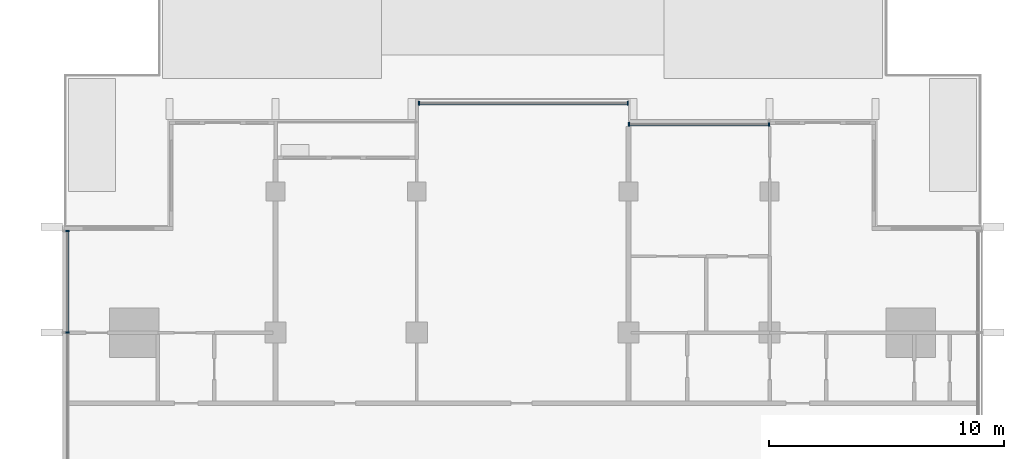
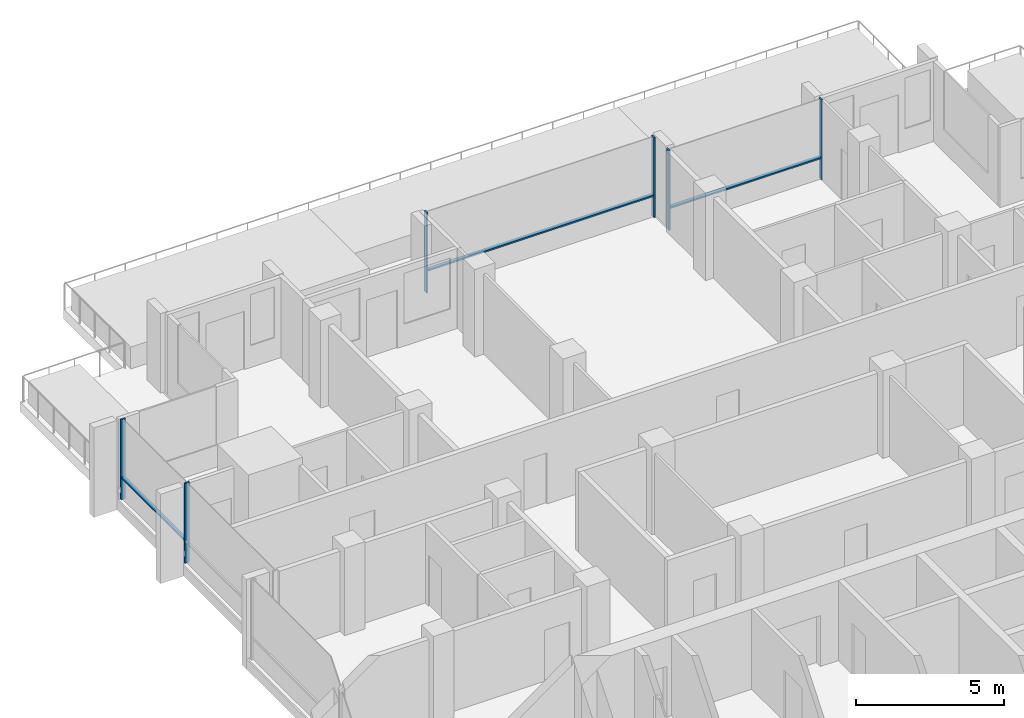
# One storey, part 4 of 17: 9 members, 3 elements without a shape of their own.
"""IFC4 building model written with IfcOpenShell, lengths in metres."""

from ifc_helpers import new_model, si_unit, direction, frame, origin, origin_2d, place, context, subcontext, project, spatial, rectangle, extrude, material, material_profile, profile_set, type_object, element, aggregate, save


model = new_model("IFC4")

# Units and contexts
model_context = context("Model", 3, precision=1e-05, world=origin(), true_north=direction((0.0, 1.0)))
body_context = subcontext(model_context, "Body", "Model", "MODEL_VIEW")
ifc_project = project(units=[si_unit("LENGTHUNIT", "METRE"), si_unit("AREAUNIT", "SQUARE_METRE"), si_unit("VOLUMEUNIT", "CUBIC_METRE"), si_unit("PLANEANGLEUNIT", "RADIAN"), si_unit("MASSUNIT", "GRAM", prefix="KILO")], contexts=[model_context])

# Site, building, storey
site_placement = place(None, origin())
site = spatial("IfcSite", under=ifc_project, at=site_placement, CompositionType="ELEMENT")
building_placement = place(site_placement, origin())
building = spatial("IfcBuilding", under=site, at=building_placement, Name="Finial Court Residences", CompositionType="ELEMENT")
storey_placement = place(building_placement, frame((0.0, 0.0, 205.10009765625)))
storey = spatial("IfcBuildingStorey", under=building, at=storey_placement, Name="L51", CompositionType="ELEMENT", Elevation=205.10009765625)

# Curtain wall, members
ifc_material = material(Name="Bronze anodised aluminium", Category="aluminium")
curtain_wall_type = type_object("IfcCurtainWallType", Name="Unitised curtain wall, upper zones", PredefinedType="NOTDEFINED", material=ifc_material)
curtain_wall_1_placement = place(storey_placement, origin())
curtain_wall_1 = element("IfcCurtainWall", 1, at=curtain_wall_1_placement, inside=storey, type_object=curtain_wall_type, Name="E-L51-CW-N1", PredefinedType="NOTDEFINED")
ifc_material_profile_1 = material_profile(ifc_material, rectangle(XDim=0.175048828125, YDim=0.06005859375, at=origin_2d()), Name="CW2 mullion 60 x 175")
ifc_profile_set_1 = profile_set([ifc_material_profile_1], Name="Bronze anodised aluminium")
member_type_1 = type_object("IfcMemberType", Name="CW2 mullion 60 x 175", PredefinedType="MULLION", material=ifc_profile_set_1)
member_1_placement = place(storey_placement, frame((-4.39501953125, 17.25, 0.0), z_axis=(0.0, 0.0, 1.0), x_axis=(0.0, 1.0, 0.0)))
member_1 = element("IfcMember", 2, at=member_1_placement, type_object=member_type_1, Name="CW2 mullion 1", PredefinedType="MULLION", context=body_context, shape_type="SweptSolid", body=[
    extrude(rectangle(XDim=0.175048828125, YDim=0.06005859375, at=origin_2d()), origin(), (0.0, 0.0, 1.0), 3.2998046875),
])
member_2_placement = place(storey_placement, frame((4.469970703125, 17.25, 0.0), z_axis=(0.0, 0.0, 1.0), x_axis=(0.0, 1.0, 0.0)))
member_2 = element("IfcMember", 3, at=member_2_placement, type_object=member_type_1, Name="CW2 mullion 2", PredefinedType="MULLION", context=body_context, shape_type="SweptSolid", body=[
    extrude(rectangle(XDim=0.175048828125, YDim=0.06005859375, at=origin_2d()), origin(), (0.0, 0.0, 1.0), 3.2998046875),
])

curtain_wall_2_placement = place(storey_placement, origin())
curtain_wall_2 = element("IfcCurtainWall", 4, at=curtain_wall_2_placement, inside=storey, type_object=curtain_wall_type, Name="E-L51-CW-N2", PredefinedType="NOTDEFINED")
member_3_placement = place(storey_placement, frame((4.530029296875, 16.35009765625, 0.0), z_axis=(0.0, 0.0, 1.0), x_axis=(0.0, 1.0, 0.0)))
member_3 = element("IfcMember", 5, at=member_3_placement, type_object=member_type_1, Name="CW2 mullion 1", PredefinedType="MULLION", context=body_context, shape_type="SweptSolid", body=[
    extrude(rectangle(XDim=0.175048828125, YDim=0.06005859375, at=origin_2d()), origin(), (0.0, 0.0, 1.0), 3.2998046875),
])
member_4_placement = place(storey_placement, frame((10.469970703125, 16.35009765625, 0.0), z_axis=(0.0, 0.0, 1.0), x_axis=(0.0, 1.0, 0.0)))
member_4 = element("IfcMember", 6, at=member_4_placement, type_object=member_type_1, Name="CW2 mullion 2", PredefinedType="MULLION", context=body_context, shape_type="SweptSolid", body=[
    extrude(rectangle(XDim=0.175048828125, YDim=0.06005859375, at=origin_2d()), origin(), (0.0, 0.0, 1.0), 3.2998046875),
])

curtain_wall_3_placement = place(storey_placement, origin())
curtain_wall_3 = element("IfcCurtainWall", 7, at=curtain_wall_3_placement, inside=storey, type_object=curtain_wall_type, Name="E-L51-CW-W11", PredefinedType="NOTDEFINED")
member_5_placement = place(storey_placement, frame((-19.35009765625, 7.5, 0.0), z_axis=(0.0, 0.0, 1.0), x_axis=(-1.0, 0.0, 0.0)))
member_5 = element("IfcMember", 8, at=member_5_placement, type_object=member_type_1, Name="CW2 mullion 2", PredefinedType="MULLION", context=body_context, shape_type="SweptSolid", body=[
    extrude(rectangle(XDim=0.175048828125, YDim=0.06005859375, at=origin_2d()), origin(), (0.0, 0.0, 1.0), 3.2998046875),
])
member_6_placement = place(storey_placement, frame((-19.35009765625, 11.820068359375, 0.0), z_axis=(0.0, 0.0, 1.0), x_axis=(-1.0, 0.0, 0.0)))
member_6 = element("IfcMember", 9, at=member_6_placement, type_object=member_type_1, Name="CW2 mullion 3", PredefinedType="MULLION", context=body_context, shape_type="SweptSolid", body=[
    extrude(rectangle(XDim=0.175048828125, YDim=0.06005859375, at=origin_2d()), origin(), (0.0, 0.0, 1.0), 3.2998046875),
])

# Member
ifc_material_profile_2 = material_profile(ifc_material, rectangle(XDim=0.139892578125, YDim=0.06005859375, at=origin_2d()), Name="CW2 transom 60 x 140")
ifc_profile_set_2 = profile_set([ifc_material_profile_2], Name="Bronze anodised aluminium")
member_type_2 = type_object("IfcMemberType", Name="CW2 transom 60 x 140", PredefinedType="USERDEFINED", material=ifc_profile_set_2)
member_7_placement = place(storey_placement, frame((-4.364990234375, 17.25, 0.89990234375), z_axis=(1.0, 0.0, 0.0), x_axis=(0.0, 1.0, 0.0)))
member_7 = element("IfcMember", 10, at=member_7_placement, type_object=member_type_2, Name="CW2 transom 1.1", ObjectType="TRANSOM", PredefinedType="USERDEFINED", context=body_context, shape_type="SweptSolid", body=[
    extrude(rectangle(XDim=0.139892578125, YDim=0.06005859375, at=origin_2d()), origin(), (0.0, 0.0, 1.0), 8.804931640625),
])

aggregate(curtain_wall_1, [member_1, member_2, member_7])

member_8_placement = place(storey_placement, frame((4.56005859375, 16.35009765625, 0.89990234375), z_axis=(1.0, 0.0, 0.0), x_axis=(0.0, 1.0, 0.0)))
member_8 = element("IfcMember", 11, at=member_8_placement, type_object=member_type_2, Name="CW2 transom 1.1", ObjectType="TRANSOM", PredefinedType="USERDEFINED", context=body_context, shape_type="SweptSolid", body=[
    extrude(rectangle(XDim=0.139892578125, YDim=0.06005859375, at=origin_2d()), origin(), (0.0, 0.0, 1.0), 5.8798828125),
])

aggregate(curtain_wall_2, [member_3, member_4, member_8])

member_9_placement = place(storey_placement, frame((-19.35009765625, 7.530029296875, 0.89990234375), z_axis=(0.0, 1.0, 0.0), x_axis=(-1.0, 0.0, 0.0)))
member_9 = element("IfcMember", 12, at=member_9_placement, type_object=member_type_2, Name="CW2 transom 2.1", ObjectType="TRANSOM", PredefinedType="USERDEFINED", context=body_context, shape_type="SweptSolid", body=[
    extrude(rectangle(XDim=0.139892578125, YDim=0.06005859375, at=origin_2d()), origin(), (0.0, 0.0, 1.0), 4.260009765625),
])

aggregate(curtain_wall_3, [member_5, member_6, member_9])

save(model, "model.ifc")
